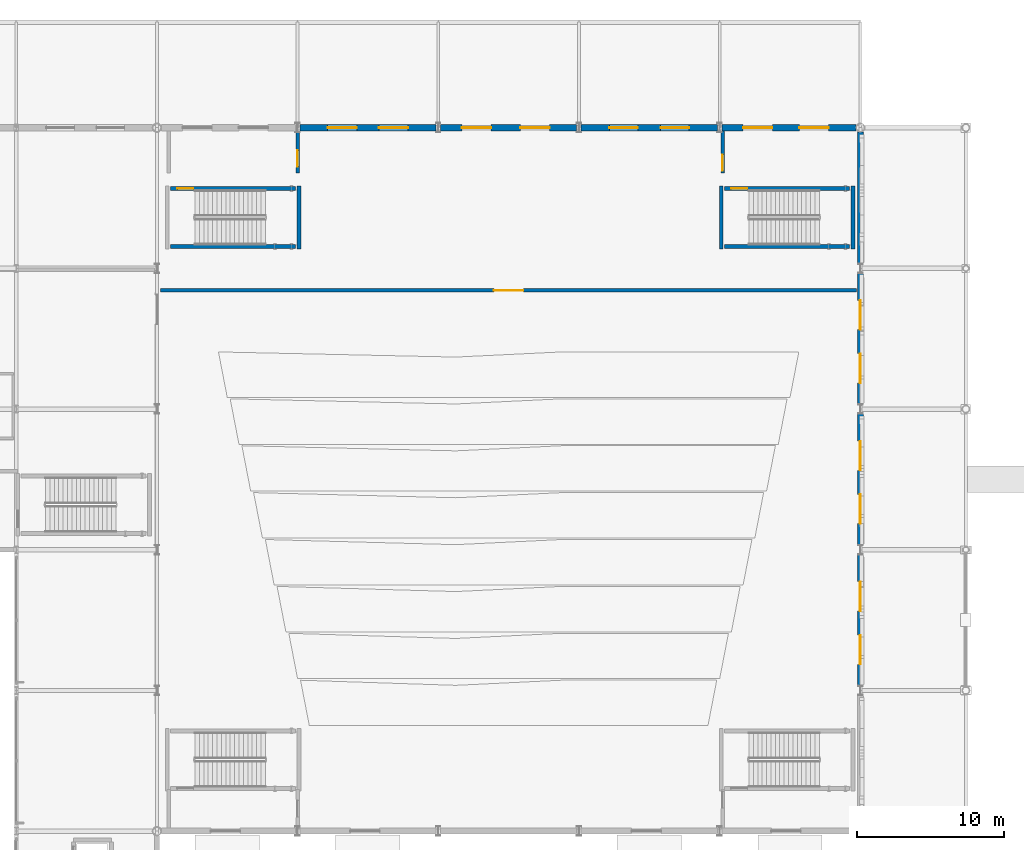
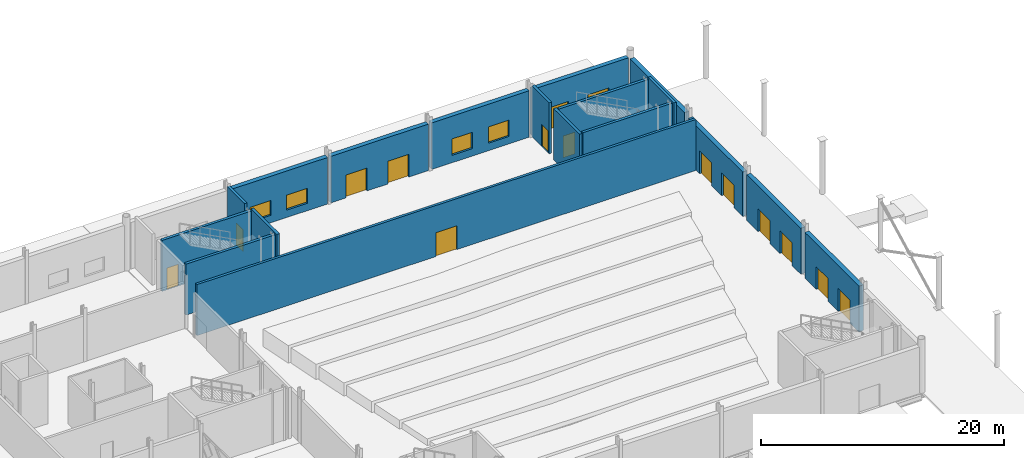
# One storey, part 60 of 84: 18 walls, 15 doors, 4 windows, 19 openings.
"""IFC4 building model written with IfcOpenShell, lengths in metres."""

from ifc_helpers import new_model, si_unit, direction, frame, frame_2d, origin, place, context, subcontext, project, spatial, rectangle, extrude, material, layer, layer_set, type_object, element, fill, save


model = new_model("IFC4")

# Units and contexts
model_context = context("Model", 3, precision=1e-05, world=origin(), true_north=direction((0.0, 1.0)))
body_context = subcontext(model_context, "Body", "Model", "MODEL_VIEW")
ifc_project = project(units=[si_unit("LENGTHUNIT", "METRE"), si_unit("AREAUNIT", "SQUARE_METRE"), si_unit("VOLUMEUNIT", "CUBIC_METRE"), si_unit("PLANEANGLEUNIT", "RADIAN"), si_unit("MASSUNIT", "GRAM", prefix="KILO")], contexts=[model_context])

# Site, building, storey
site_placement = place(None, origin())
site = spatial("IfcSite", under=ifc_project, at=site_placement, CompositionType="ELEMENT")
building_placement = place(site_placement, origin())
building = spatial("IfcBuilding", under=site, at=building_placement, Name="Zevrakil Square Congress Hotel", CompositionType="ELEMENT")
storey_placement = place(building_placement, origin())
storey = spatial("IfcBuildingStorey", under=building, at=storey_placement, Name="L01", CompositionType="ELEMENT", Elevation=0.0)

# Wall, opening, door
ifc_material_1 = material(Name="Concrete C35/45", Category="concrete")
ifc_layer_1 = layer(ifc_material_1, 0.239990234375)
ifc_layer_set_1 = layer_set([ifc_layer_1], Name="Concrete C35/45")
wall_type_1 = type_object("IfcWallType", Name="WAL-COMP-240", PredefinedType="SOLIDWALL", material=ifc_layer_set_1)
wall_1_placement = place(storey_placement, frame((117.85009765625, 101.699951171875, 0.0), z_axis=(0.0, 0.0, 1.0), x_axis=(1.0, 0.0, 0.0)))
wall_1 = element("IfcWall", 1, at=wall_1_placement, inside=storey, type_object=wall_type_1, Name="L01 interior partition PW-L01-0124", PredefinedType="SOLIDWALL", context=body_context, shape_type="SweptSolid", body=[
    extrude(rectangle(XDim=47.5, YDim=0.239990234375, at=frame_2d((23.75, 0.0))), origin(), (0.0, 0.0, 1.0), 5.139892578125),
])
opening_1_placement = place(wall_1_placement, frame((22.75, 0.0, 0.0)))
opening_1 = element("IfcOpeningElement", 2, at=opening_1_placement, cuts=wall_1, Name="Opening ID-05", PredefinedType="OPENING", context=body_context, shape_type="SweptSolid", body=[
    extrude(rectangle(XDim=2.0, YDim=2.39990234375, at=frame_2d((1.0, 1.199951171875))), frame((0.0, 0.1298828125, 0.0), z_axis=(0.0, -1.0, 0.0), x_axis=(1.0, 0.0, 0.0)), (0.0, 0.0, 1.0), 0.260009765625),
])
ifc_material_2 = material(Name="Assembly Hall Double Acoustic Door")
door_type_1 = type_object("IfcDoorType", Name="DOR-HALL-200", OperationType="NOTDEFINED", PredefinedType="DOOR", material=ifc_material_2)
door_1_placement = place(opening_1_placement, origin())
door_1 = element("IfcDoor", 3, at=door_1_placement, inside=storey, type_object=door_type_1, Name="L01 interior door 45", OperationType="DOUBLE_DOOR_SINGLE_SWING", OverallHeight=2.39990234375, OverallWidth=2.0, PredefinedType="DOOR", context=body_context, shape_type="SweptSolid", body=[
    extrude(rectangle(XDim=2.0, YDim=2.39990234375, at=frame_2d((1.0, 1.199951171875))), frame((0.0, 0.02490234375, 0.0), z_axis=(0.0, -1.0, 0.0), x_axis=(1.0, 0.0, 0.0)), (0.0, 0.0, 1.0), 0.050048828125),
])
fill(opening_1, door_1)

wall_2_placement = place(storey_placement, frame((156.199951171875, 109.699951171875, 0.0), z_axis=(0.0, 0.0, 1.0), x_axis=(0.0, 1.0, 0.0)))
wall_2 = element("IfcWall", 4, at=wall_2_placement, inside=storey, type_object=wall_type_1, Name="L01 interior partition PW-L01-0157", PredefinedType="SOLIDWALL", context=body_context, shape_type="SweptSolid", body=[
    extrude(rectangle(XDim=2.880126953125, YDim=0.239990234375, at=frame_2d((1.43994140625, 0.0))), origin(), (0.0, 0.0, 1.0), 5.139892578125),
])
opening_2_placement = place(wall_2_placement, frame((0.159912109375, 0.0, 0.0)))
opening_2 = element("IfcOpeningElement", 5, at=opening_2_placement, cuts=wall_2, Name="Opening FD90-B", PredefinedType="OPENING", context=body_context, shape_type="SweptSolid", body=[
    extrude(rectangle(XDim=1.10009765625, YDim=2.199951171875, at=frame_2d((0.550048828125, 1.10009765625))), frame((0.0, 0.1298828125, 0.0), z_axis=(0.0, -1.0, 0.0), x_axis=(1.0, 0.0, 0.0)), (0.0, 0.0, 1.0), 0.260009765625),
])
ifc_material_3 = material(Name="Steel S355 Fire-Rated Door", Category="steel")
door_type_2 = type_object("IfcDoorType", Name="DOR-STAIR-FD90-110", OperationType="NOTDEFINED", PredefinedType="DOOR", material=ifc_material_3)
door_2_placement = place(opening_2_placement, origin())
door_2 = element("IfcDoor", 6, at=door_2_placement, inside=storey, type_object=door_type_2, Name="L01 interior door 63", OperationType="SINGLE_SWING_LEFT", OverallHeight=2.199951171875, OverallWidth=1.10009765625, PredefinedType="DOOR", context=body_context, shape_type="SweptSolid", body=[
    extrude(rectangle(XDim=1.10009765625, YDim=2.199951171875, at=frame_2d((0.550048828125, 1.10009765625))), frame((0.0, 0.02490234375, 0.0), z_axis=(0.0, -1.0, 0.0), x_axis=(1.0, 0.0, 0.0)), (0.0, 0.0, 1.0), 0.050048828125),
])
fill(opening_2, door_2)

wall_3_placement = place(storey_placement, frame((127.199951171875, 109.699951171875, 0.0), z_axis=(0.0, 0.0, 1.0), x_axis=(0.0, 1.0, 0.0)))
wall_3 = element("IfcWall", 7, at=wall_3_placement, inside=storey, type_object=wall_type_1, Name="L01 interior partition PW-L01-0159", PredefinedType="SOLIDWALL", context=body_context, shape_type="SweptSolid", body=[
    extrude(rectangle(XDim=2.880126953125, YDim=0.239990234375, at=frame_2d((1.43994140625, 0.0))), origin(), (0.0, 0.0, 1.0), 5.139892578125),
])
opening_3_placement = place(wall_3_placement, frame((0.449951171875, 0.0, 0.0)))
opening_3 = element("IfcOpeningElement", 8, at=opening_3_placement, cuts=wall_3, Name="Opening FD90-B", PredefinedType="OPENING", context=body_context, shape_type="SweptSolid", body=[
    extrude(rectangle(XDim=1.10009765625, YDim=2.199951171875, at=frame_2d((0.550048828125, 1.10009765625))), frame((0.0, 0.1298828125, 0.0), z_axis=(0.0, -1.0, 0.0), x_axis=(1.0, 0.0, 0.0)), (0.0, 0.0, 1.0), 0.260009765625),
])
door_3_placement = place(opening_3_placement, origin())
door_3 = element("IfcDoor", 9, at=door_3_placement, inside=storey, type_object=door_type_2, Name="L01 interior door 64", OperationType="SINGLE_SWING_RIGHT", OverallHeight=2.199951171875, OverallWidth=1.10009765625, PredefinedType="DOOR", context=body_context, shape_type="SweptSolid", body=[
    extrude(rectangle(XDim=1.10009765625, YDim=2.199951171875, at=frame_2d((0.550048828125, 1.10009765625))), frame((0.0, 0.02490234375, 0.0), z_axis=(0.0, -1.0, 0.0), x_axis=(1.0, 0.0, 0.0)), (0.0, 0.0, 1.0), 0.050048828125),
])
fill(opening_3, door_3)

# Wall, openings, windows
ifc_material_4 = material(Name="Precast concrete C40/50", Category="concrete")
ifc_layer_2 = layer(ifc_material_4, 0.419921875)
ifc_layer_set_2 = layer_set([ifc_layer_2], Name="Precast concrete C40/50")
wall_type_2 = type_object("IfcWallType", Name="WAL-EXT-HALL-420", PredefinedType="SOLIDWALL", material=ifc_layer_set_2)
wall_4_placement = place(storey_placement, frame((127.35400390625, 112.800048828125, 0.0), z_axis=(0.0, 0.0, 1.0), x_axis=(1.0, 0.0, 0.0)))
wall_4 = element("IfcWall", 10, at=wall_4_placement, inside=storey, type_object=wall_type_2, Name="L01 exterior GRC wall EW-L01-0063", PredefinedType="SOLIDWALL", context=body_context, shape_type="SweptSolid", body=[
    extrude(rectangle(XDim=9.2919921875, YDim=0.419921875, at=frame_2d((4.64599609375, 0.0))), origin(), (0.0, 0.0, 1.0), 4.68505859375),
])
opening_4_placement = place(wall_4_placement, frame((1.89794921875, 0.0, 0.75)))
opening_4 = element("IfcOpeningElement", 11, at=opening_4_placement, cuts=wall_4, Name="Opening WN-11", PredefinedType="OPENING", context=body_context, shape_type="SweptSolid", body=[
    extrude(rectangle(XDim=2.0, YDim=1.5, at=frame_2d((1.0, 0.75))), frame((0.0, 0.219970703125, 0.0), z_axis=(0.0, -1.0, 0.0), x_axis=(1.0, 0.0, 0.0)), (0.0, 0.0, 1.0), 0.43994140625),
])
opening_5_placement = place(wall_4_placement, frame((5.39404296875, 0.0, 0.75)))
opening_5 = element("IfcOpeningElement", 12, at=opening_5_placement, cuts=wall_4, Name="Opening WN-11", PredefinedType="OPENING", context=body_context, shape_type="SweptSolid", body=[
    extrude(rectangle(XDim=2.0, YDim=1.5, at=frame_2d((1.0, 0.75))), frame((0.0, 0.219970703125, 0.0), z_axis=(0.0, -1.0, 0.0), x_axis=(1.0, 0.0, 0.0)), (0.0, 0.0, 1.0), 0.43994140625),
])
ifc_material_5 = material(Name="Low-E Solar Control Double Glazing", Category="glass")
window_type_1 = type_object("IfcWindowType", Name="WIN-EXT-11", PartitioningType="SINGLE_PANEL", PredefinedType="WINDOW", material=ifc_material_5)
window_1_placement = place(opening_4_placement, origin())
window_1 = element("IfcWindow", 13, at=window_1_placement, inside=storey, type_object=window_type_1, Name="L01 low-E solar window 55", OverallHeight=1.5, OverallWidth=2.0, PartitioningType="SINGLE_PANEL", PredefinedType="WINDOW", context=body_context, shape_type="SweptSolid", body=[
    extrude(rectangle(XDim=2.0, YDim=1.5, at=frame_2d((1.0, 0.75))), frame((0.0, 0.030029296875, 0.0), z_axis=(0.0, -1.0, 0.0), x_axis=(1.0, 0.0, 0.0)), (0.0, 0.0, 1.0), 0.06005859375),
])
fill(opening_4, window_1)
window_2_placement = place(opening_5_placement, origin())
window_2 = element("IfcWindow", 14, at=window_2_placement, inside=storey, type_object=window_type_1, Name="L01 low-E solar window 56", OverallHeight=1.5, OverallWidth=2.0, PartitioningType="SINGLE_PANEL", PredefinedType="WINDOW", context=body_context, shape_type="SweptSolid", body=[
    extrude(rectangle(XDim=2.0, YDim=1.5, at=frame_2d((1.0, 0.75))), frame((0.0, 0.030029296875, 0.0), z_axis=(0.0, -1.0, 0.0), x_axis=(1.0, 0.0, 0.0)), (0.0, 0.0, 1.0), 0.06005859375),
])
fill(opening_5, window_2)

# Wall, openings, doors
wall_5_placement = place(storey_placement, frame((136.9541015625, 112.800048828125, 0.0), z_axis=(0.0, 0.0, 1.0), x_axis=(1.0, 0.0, 0.0)))
wall_5 = element("IfcWall", 15, at=wall_5_placement, inside=storey, type_object=wall_type_2, Name="L01 exterior GRC wall EW-L01-0065", PredefinedType="SOLIDWALL", context=body_context, shape_type="SweptSolid", body=[
    extrude(rectangle(XDim=9.2919921875, YDim=0.419921875, at=frame_2d((4.64599609375, 0.0))), origin(), (0.0, 0.0, 1.0), 4.68505859375),
])
opening_6_placement = place(wall_5_placement, frame((1.449951171875, 0.0, 0.0)))
opening_6 = element("IfcOpeningElement", 16, at=opening_6_placement, cuts=wall_5, Name="Opening E33", PredefinedType="OPENING", context=body_context, shape_type="SweptSolid", body=[
    extrude(rectangle(XDim=2.0, YDim=2.300048828125, at=frame_2d((1.0, 1.14990234375))), frame((0.0, 0.219970703125, 0.0), z_axis=(0.0, -1.0, 0.0), x_axis=(1.0, 0.0, 0.0)), (0.0, 0.0, 1.0), 0.43994140625),
])
opening_7_placement = place(wall_5_placement, frame((5.44189453125, 0.0, 0.0)))
opening_7 = element("IfcOpeningElement", 17, at=opening_7_placement, cuts=wall_5, Name="Opening E34", PredefinedType="OPENING", context=body_context, shape_type="SweptSolid", body=[
    extrude(rectangle(XDim=2.0, YDim=2.300048828125, at=frame_2d((1.0, 1.14990234375))), frame((0.0, 0.219970703125, 0.0), z_axis=(0.0, -1.0, 0.0), x_axis=(1.0, 0.0, 0.0)), (0.0, 0.0, 1.0), 0.43994140625),
])
ifc_material_6 = material(Name="Aluminium Thermal-Break Glazed Door", Category="aluminium")
door_type_3 = type_object("IfcDoorType", Name="DOR-EXIT-200", OperationType="NOTDEFINED", PredefinedType="DOOR", material=ifc_material_6)
door_4_placement = place(opening_6_placement, origin())
door_4 = element("IfcDoor", 18, at=door_4_placement, inside=storey, type_object=door_type_3, Name="L01 pedestrian final exit door E33", OperationType="DOUBLE_DOOR_SINGLE_SWING", OverallHeight=2.300048828125, OverallWidth=2.0, PredefinedType="DOOR", context=body_context, shape_type="SweptSolid", body=[
    extrude(rectangle(XDim=2.0, YDim=2.300048828125, at=frame_2d((1.0, 1.14990234375))), frame((0.0, 0.02490234375, 0.0), z_axis=(0.0, -1.0, 0.0), x_axis=(1.0, 0.0, 0.0)), (0.0, 0.0, 1.0), 0.050048828125),
])
fill(opening_6, door_4)
door_5_placement = place(opening_7_placement, origin())
door_5 = element("IfcDoor", 19, at=door_5_placement, inside=storey, type_object=door_type_3, Name="L01 pedestrian final exit door E34", OperationType="DOUBLE_DOOR_SINGLE_SWING", OverallHeight=2.300048828125, OverallWidth=2.0, PredefinedType="DOOR", context=body_context, shape_type="SweptSolid", body=[
    extrude(rectangle(XDim=2.0, YDim=2.300048828125, at=frame_2d((1.0, 1.14990234375))), frame((0.0, 0.02490234375, 0.0), z_axis=(0.0, -1.0, 0.0), x_axis=(1.0, 0.0, 0.0)), (0.0, 0.0, 1.0), 0.050048828125),
])
fill(opening_7, door_5)

# Wall, openings, windows
wall_6_placement = place(storey_placement, frame((146.553955078125, 112.800048828125, 0.0), z_axis=(0.0, 0.0, 1.0), x_axis=(1.0, 0.0, 0.0)))
wall_6 = element("IfcWall", 20, at=wall_6_placement, inside=storey, type_object=wall_type_2, Name="L01 exterior GRC wall EW-L01-0067", PredefinedType="SOLIDWALL", context=body_context, shape_type="SweptSolid", body=[
    extrude(rectangle(XDim=9.2919921875, YDim=0.419921875, at=frame_2d((4.64599609375, 0.0))), origin(), (0.0, 0.0, 1.0), 4.68505859375),
])
opening_8_placement = place(wall_6_placement, frame((1.923095703125, 0.0, 0.75)))
opening_8 = element("IfcOpeningElement", 21, at=opening_8_placement, cuts=wall_6, Name="Opening WN-17", PredefinedType="OPENING", context=body_context, shape_type="SweptSolid", body=[
    extrude(rectangle(XDim=1.949951171875, YDim=1.64990234375, at=frame_2d((0.97509765625, 0.824951171875))), frame((0.0, 0.219970703125, 0.0), z_axis=(0.0, -1.0, 0.0), x_axis=(1.0, 0.0, 0.0)), (0.0, 0.0, 1.0), 0.43994140625),
])
opening_9_placement = place(wall_6_placement, frame((5.4189453125, 0.0, 0.75)))
opening_9 = element("IfcOpeningElement", 22, at=opening_9_placement, cuts=wall_6, Name="Opening WN-17", PredefinedType="OPENING", context=body_context, shape_type="SweptSolid", body=[
    extrude(rectangle(XDim=1.949951171875, YDim=1.64990234375, at=frame_2d((0.97509765625, 0.824951171875))), frame((0.0, 0.219970703125, 0.0), z_axis=(0.0, -1.0, 0.0), x_axis=(1.0, 0.0, 0.0)), (0.0, 0.0, 1.0), 0.43994140625),
])
ifc_material_7 = material(Name="Low-E Solar Control Double Glazing", Category="glass")
window_type_2 = type_object("IfcWindowType", Name="WIN-EXT-17", PartitioningType="SINGLE_PANEL", PredefinedType="WINDOW", material=ifc_material_7)
window_3_placement = place(opening_8_placement, origin())
window_3 = element("IfcWindow", 23, at=window_3_placement, inside=storey, type_object=window_type_2, Name="L01 low-E solar window 61", OverallHeight=1.64990234375, OverallWidth=1.949951171875, PartitioningType="SINGLE_PANEL", PredefinedType="WINDOW", context=body_context, shape_type="SweptSolid", body=[
    extrude(rectangle(XDim=1.949951171875, YDim=1.64990234375, at=frame_2d((0.97509765625, 0.824951171875))), frame((0.0, 0.030029296875, 0.0), z_axis=(0.0, -1.0, 0.0), x_axis=(1.0, 0.0, 0.0)), (0.0, 0.0, 1.0), 0.06005859375),
])
fill(opening_8, window_3)
window_4_placement = place(opening_9_placement, origin())
window_4 = element("IfcWindow", 24, at=window_4_placement, inside=storey, type_object=window_type_2, Name="L01 low-E solar window 62", OverallHeight=1.64990234375, OverallWidth=1.949951171875, PartitioningType="SINGLE_PANEL", PredefinedType="WINDOW", context=body_context, shape_type="SweptSolid", body=[
    extrude(rectangle(XDim=1.949951171875, YDim=1.64990234375, at=frame_2d((0.97509765625, 0.824951171875))), frame((0.0, 0.030029296875, 0.0), z_axis=(0.0, -1.0, 0.0), x_axis=(1.0, 0.0, 0.0)), (0.0, 0.0, 1.0), 0.06005859375),
])
fill(opening_9, window_4)

# Wall, openings, doors
wall_7_placement = place(storey_placement, frame((156.154052734375, 112.800048828125, 0.0), z_axis=(0.0, 0.0, 1.0), x_axis=(1.0, 0.0, 0.0)))
wall_7 = element("IfcWall", 25, at=wall_7_placement, inside=storey, type_object=wall_type_2, Name="L01 exterior GRC wall EW-L01-0069", PredefinedType="SOLIDWALL", context=body_context, shape_type="SweptSolid", body=[
    extrude(rectangle(XDim=9.136962890625, YDim=0.419921875, at=frame_2d((4.568359375, 0.0))), origin(), (0.0, 0.0, 1.0), 4.68505859375),
])
opening_10_placement = place(wall_7_placement, frame((1.449951171875, 0.0, 0.0)))
opening_10 = element("IfcOpeningElement", 26, at=opening_10_placement, cuts=wall_7, Name="Opening E35", PredefinedType="OPENING", context=body_context, shape_type="SweptSolid", body=[
    extrude(rectangle(XDim=2.0, YDim=2.300048828125, at=frame_2d((1.0, 1.14990234375))), frame((0.0, 0.219970703125, 0.0), z_axis=(0.0, -1.0, 0.0), x_axis=(1.0, 0.0, 0.0)), (0.0, 0.0, 1.0), 0.43994140625),
])
opening_11_placement = place(wall_7_placement, frame((5.287109375, 0.0, 0.0)))
opening_11 = element("IfcOpeningElement", 27, at=opening_11_placement, cuts=wall_7, Name="Opening E36", PredefinedType="OPENING", context=body_context, shape_type="SweptSolid", body=[
    extrude(rectangle(XDim=2.0, YDim=2.300048828125, at=frame_2d((1.0, 1.14990234375))), frame((0.0, 0.219970703125, 0.0), z_axis=(0.0, -1.0, 0.0), x_axis=(1.0, 0.0, 0.0)), (0.0, 0.0, 1.0), 0.43994140625),
])
door_6_placement = place(opening_10_placement, origin())
door_6 = element("IfcDoor", 28, at=door_6_placement, inside=storey, type_object=door_type_3, Name="L01 pedestrian final exit door E35", OperationType="DOUBLE_DOOR_SINGLE_SWING", OverallHeight=2.300048828125, OverallWidth=2.0, PredefinedType="DOOR", context=body_context, shape_type="SweptSolid", body=[
    extrude(rectangle(XDim=2.0, YDim=2.300048828125, at=frame_2d((1.0, 1.14990234375))), frame((0.0, 0.02490234375, 0.0), z_axis=(0.0, -1.0, 0.0), x_axis=(1.0, 0.0, 0.0)), (0.0, 0.0, 1.0), 0.050048828125),
])
fill(opening_10, door_6)
door_7_placement = place(opening_11_placement, origin())
door_7 = element("IfcDoor", 29, at=door_7_placement, inside=storey, type_object=door_type_3, Name="L01 pedestrian final exit door E36", OperationType="DOUBLE_DOOR_SINGLE_SWING", OverallHeight=2.300048828125, OverallWidth=2.0, PredefinedType="DOOR", context=body_context, shape_type="SweptSolid", body=[
    extrude(rectangle(XDim=2.0, YDim=2.300048828125, at=frame_2d((1.0, 1.14990234375))), frame((0.0, 0.02490234375, 0.0), z_axis=(0.0, -1.0, 0.0), x_axis=(1.0, 0.0, 0.0)), (0.0, 0.0, 1.0), 0.050048828125),
])
fill(opening_11, door_7)

wall_8_placement = place(storey_placement, frame((165.60009765625, 74.72900390625, 0.0), z_axis=(0.0, 0.0, 1.0), x_axis=(0.0, 1.0, 0.0)))
wall_8 = element("IfcWall", 30, at=wall_8_placement, inside=storey, type_object=wall_type_2, Name="L01 exterior GRC wall EW-L01-0072", PredefinedType="SOLIDWALL", context=body_context, shape_type="SweptSolid", body=[
    extrude(rectangle(XDim=8.94189453125, YDim=0.419921875, at=frame_2d((4.470947265625, 0.0))), origin(), (0.0, 0.0, 1.0), 4.625),
])
opening_12_placement = place(wall_8_placement, frame((1.449951171875, 0.0, 0.0)))
opening_12 = element("IfcOpeningElement", 31, at=opening_12_placement, cuts=wall_8, Name="Opening E37", PredefinedType="OPENING", context=body_context, shape_type="SweptSolid", body=[
    extrude(rectangle(XDim=2.0, YDim=2.300048828125, at=frame_2d((1.0, 1.14990234375))), frame((0.0, 0.219970703125, 0.0), z_axis=(0.0, -1.0, 0.0), x_axis=(1.0, 0.0, 0.0)), (0.0, 0.0, 1.0), 0.43994140625),
])
opening_13_placement = place(wall_8_placement, frame((5.092041015625, 0.0, 0.0)))
opening_13 = element("IfcOpeningElement", 32, at=opening_13_placement, cuts=wall_8, Name="Opening E38", PredefinedType="OPENING", context=body_context, shape_type="SweptSolid", body=[
    extrude(rectangle(XDim=2.0, YDim=2.300048828125, at=frame_2d((1.0, 1.14990234375))), frame((0.0, 0.219970703125, 0.0), z_axis=(0.0, -1.0, 0.0), x_axis=(1.0, 0.0, 0.0)), (0.0, 0.0, 1.0), 0.43994140625),
])
door_8_placement = place(opening_12_placement, frame((2.0, 0.0, 0.0), z_axis=(0.0, 0.0, 1.0), x_axis=(-1.0, 0.0, 0.0)))
door_8 = element("IfcDoor", 33, at=door_8_placement, inside=storey, type_object=door_type_3, Name="L01 pedestrian final exit door E37", OperationType="DOUBLE_DOOR_SINGLE_SWING", OverallHeight=2.300048828125, OverallWidth=2.0, PredefinedType="DOOR", context=body_context, shape_type="SweptSolid", body=[
    extrude(rectangle(XDim=2.0, YDim=2.300048828125, at=frame_2d((1.0, 1.14990234375))), frame((0.0, 0.02490234375, 0.0), z_axis=(0.0, -1.0, 0.0), x_axis=(1.0, 0.0, 0.0)), (0.0, 0.0, 1.0), 0.050048828125),
])
fill(opening_12, door_8)
door_9_placement = place(opening_13_placement, frame((2.0, 0.0, 0.0), z_axis=(0.0, 0.0, 1.0), x_axis=(-1.0, 0.0, 0.0)))
door_9 = element("IfcDoor", 34, at=door_9_placement, inside=storey, type_object=door_type_3, Name="L01 pedestrian final exit door E38", OperationType="DOUBLE_DOOR_SINGLE_SWING", OverallHeight=2.300048828125, OverallWidth=2.0, PredefinedType="DOOR", context=body_context, shape_type="SweptSolid", body=[
    extrude(rectangle(XDim=2.0, YDim=2.300048828125, at=frame_2d((1.0, 1.14990234375))), frame((0.0, 0.02490234375, 0.0), z_axis=(0.0, -1.0, 0.0), x_axis=(1.0, 0.0, 0.0)), (0.0, 0.0, 1.0), 0.050048828125),
])
fill(opening_13, door_9)

wall_9_placement = place(storey_placement, frame((165.60009765625, 84.3291015625, 0.0), z_axis=(0.0, 0.0, 1.0), x_axis=(0.0, 1.0, 0.0)))
wall_9 = element("IfcWall", 35, at=wall_9_placement, inside=storey, type_object=wall_type_2, Name="L01 exterior GRC wall EW-L01-0074", PredefinedType="SOLIDWALL", context=body_context, shape_type="SweptSolid", body=[
    extrude(rectangle(XDim=8.94189453125, YDim=0.419921875, at=frame_2d((4.470947265625, 0.0))), origin(), (0.0, 0.0, 1.0), 4.625),
])
opening_14_placement = place(wall_9_placement, frame((1.449951171875, 0.0, 0.0)))
opening_14 = element("IfcOpeningElement", 36, at=opening_14_placement, cuts=wall_9, Name="Opening E39", PredefinedType="OPENING", context=body_context, shape_type="SweptSolid", body=[
    extrude(rectangle(XDim=2.0, YDim=2.300048828125, at=frame_2d((1.0, 1.14990234375))), frame((0.0, 0.219970703125, 0.0), z_axis=(0.0, -1.0, 0.0), x_axis=(1.0, 0.0, 0.0)), (0.0, 0.0, 1.0), 0.43994140625),
])
opening_15_placement = place(wall_9_placement, frame((5.092041015625, 0.0, 0.0)))
opening_15 = element("IfcOpeningElement", 37, at=opening_15_placement, cuts=wall_9, Name="Opening E40", PredefinedType="OPENING", context=body_context, shape_type="SweptSolid", body=[
    extrude(rectangle(XDim=2.0, YDim=2.300048828125, at=frame_2d((1.0, 1.14990234375))), frame((0.0, 0.219970703125, 0.0), z_axis=(0.0, -1.0, 0.0), x_axis=(1.0, 0.0, 0.0)), (0.0, 0.0, 1.0), 0.43994140625),
])
door_10_placement = place(opening_14_placement, frame((2.0, 0.0, 0.0), z_axis=(0.0, 0.0, 1.0), x_axis=(-1.0, 0.0, 0.0)))
door_10 = element("IfcDoor", 38, at=door_10_placement, inside=storey, type_object=door_type_3, Name="L01 pedestrian final exit door E39", OperationType="DOUBLE_DOOR_SINGLE_SWING", OverallHeight=2.300048828125, OverallWidth=2.0, PredefinedType="DOOR", context=body_context, shape_type="SweptSolid", body=[
    extrude(rectangle(XDim=2.0, YDim=2.300048828125, at=frame_2d((1.0, 1.14990234375))), frame((0.0, 0.02490234375, 0.0), z_axis=(0.0, -1.0, 0.0), x_axis=(1.0, 0.0, 0.0)), (0.0, 0.0, 1.0), 0.050048828125),
])
fill(opening_14, door_10)
door_11_placement = place(opening_15_placement, frame((2.0, 0.0, 0.0), z_axis=(0.0, 0.0, 1.0), x_axis=(-1.0, 0.0, 0.0)))
door_11 = element("IfcDoor", 39, at=door_11_placement, inside=storey, type_object=door_type_3, Name="L01 pedestrian final exit door E40", OperationType="DOUBLE_DOOR_SINGLE_SWING", OverallHeight=2.300048828125, OverallWidth=2.0, PredefinedType="DOOR", context=body_context, shape_type="SweptSolid", body=[
    extrude(rectangle(XDim=2.0, YDim=2.300048828125, at=frame_2d((1.0, 1.14990234375))), frame((0.0, 0.02490234375, 0.0), z_axis=(0.0, -1.0, 0.0), x_axis=(1.0, 0.0, 0.0)), (0.0, 0.0, 1.0), 0.050048828125),
])
fill(opening_15, door_11)

wall_10_placement = place(storey_placement, frame((165.60009765625, 93.928955078125, 0.0), z_axis=(0.0, 0.0, 1.0), x_axis=(0.0, 1.0, 0.0)))
wall_10 = element("IfcWall", 40, at=wall_10_placement, inside=storey, type_object=wall_type_2, Name="L01 exterior GRC wall EW-L01-0075", PredefinedType="SOLIDWALL", context=body_context, shape_type="SweptSolid", body=[
    extrude(rectangle(XDim=8.942138671875, YDim=0.419921875, at=frame_2d((4.47119140625, 0.0))), origin(), (0.0, 0.0, 1.0), 4.47509765625),
])
opening_16_placement = place(wall_10_placement, frame((1.449951171875, 0.0, 0.0)))
opening_16 = element("IfcOpeningElement", 41, at=opening_16_placement, cuts=wall_10, Name="Opening E41", PredefinedType="OPENING", context=body_context, shape_type="SweptSolid", body=[
    extrude(rectangle(XDim=2.0, YDim=2.300048828125, at=frame_2d((1.0, 1.14990234375))), frame((0.0, 0.219970703125, 0.0), z_axis=(0.0, -1.0, 0.0), x_axis=(1.0, 0.0, 0.0)), (0.0, 0.0, 1.0), 0.43994140625),
])
opening_17_placement = place(wall_10_placement, frame((5.092041015625, 0.0, 0.0)))
opening_17 = element("IfcOpeningElement", 42, at=opening_17_placement, cuts=wall_10, Name="Opening E42", PredefinedType="OPENING", context=body_context, shape_type="SweptSolid", body=[
    extrude(rectangle(XDim=2.0, YDim=2.300048828125, at=frame_2d((1.0, 1.14990234375))), frame((0.0, 0.219970703125, 0.0), z_axis=(0.0, -1.0, 0.0), x_axis=(1.0, 0.0, 0.0)), (0.0, 0.0, 1.0), 0.43994140625),
])
door_12_placement = place(opening_16_placement, frame((2.0, 0.0, 0.0), z_axis=(0.0, 0.0, 1.0), x_axis=(-1.0, 0.0, 0.0)))
door_12 = element("IfcDoor", 43, at=door_12_placement, inside=storey, type_object=door_type_3, Name="L01 pedestrian final exit door E41", OperationType="DOUBLE_DOOR_SINGLE_SWING", OverallHeight=2.300048828125, OverallWidth=2.0, PredefinedType="DOOR", context=body_context, shape_type="SweptSolid", body=[
    extrude(rectangle(XDim=2.0, YDim=2.300048828125, at=frame_2d((1.0, 1.14990234375))), frame((0.0, 0.02490234375, 0.0), z_axis=(0.0, -1.0, 0.0), x_axis=(1.0, 0.0, 0.0)), (0.0, 0.0, 1.0), 0.050048828125),
])
fill(opening_16, door_12)
door_13_placement = place(opening_17_placement, frame((2.0, 0.0, 0.0), z_axis=(0.0, 0.0, 1.0), x_axis=(-1.0, 0.0, 0.0)))
door_13 = element("IfcDoor", 44, at=door_13_placement, inside=storey, type_object=door_type_3, Name="L01 pedestrian final exit door E42", OperationType="DOUBLE_DOOR_SINGLE_SWING", OverallHeight=2.300048828125, OverallWidth=2.0, PredefinedType="DOOR", context=body_context, shape_type="SweptSolid", body=[
    extrude(rectangle(XDim=2.0, YDim=2.300048828125, at=frame_2d((1.0, 1.14990234375))), frame((0.0, 0.02490234375, 0.0), z_axis=(0.0, -1.0, 0.0), x_axis=(1.0, 0.0, 0.0)), (0.0, 0.0, 1.0), 0.050048828125),
])
fill(opening_17, door_13)

# Walls
wall_11_placement = place(storey_placement, frame((165.60009765625, 103.529052734375, 0.0), z_axis=(0.0, 0.0, 1.0), x_axis=(0.0, 1.0, 0.0)))
element("IfcWall", 45, at=wall_11_placement, inside=storey, type_object=wall_type_2, Name="L01 exterior GRC wall EW-L01-0077", PredefinedType="SOLIDWALL", context=body_context, shape_type="SweptSolid", body=[
    extrude(rectangle(XDim=8.9619140625, YDim=0.419921875, at=frame_2d((4.48095703125, 0.0))), origin(), (0.0, 0.0, 1.0), 4.625),
])
ifc_material_8 = material(Name="Concrete C40/50", Category="concrete")
ifc_layer_3 = layer(ifc_material_8, 0.260009765625)
ifc_layer_set_3 = layer_set([ifc_layer_3], Name="Concrete C40/50")
wall_type_3 = type_object("IfcWallType", Name="WAL-SHAFT-260", PredefinedType="SHEAR", material=ifc_layer_set_3)
for number, where, z_axis, x_axis, name in (
    (46, (156.10498046875, 104.5400390625, 0.0), (0.0, 0.0, 1.0), (0.0, 1.0, 0.0), "L01 ST10 stair shaft W wall"),
    (47, (165.094970703125, 104.5400390625, 0.0), (0.0, 0.0, 1.0), (0.0, 1.0, 0.0), "L01 ST10 stair shaft E wall"),
):
    element("IfcWall", number, at=place(storey_placement, frame(where, z_axis=z_axis, x_axis=x_axis)), inside=storey, type_object=wall_type_3, Name=name, PredefinedType="SHEAR", context=body_context, shape_type="SweptSolid", body=[
        extrude(rectangle(XDim=4.27001953125, YDim=0.260009765625, at=frame_2d((2.135009765625, 0.0))), origin(), (0.0, 0.0, 1.0), 5.139892578125),
    ])
wall_12_placement = place(storey_placement, frame((156.340087890625, 104.705078125, 0.0), z_axis=(0.0, 0.0, 1.0), x_axis=(1.0, 0.0, 0.0)))
element("IfcWall", 48, at=wall_12_placement, inside=storey, type_object=wall_type_3, Name="L01 ST10 stair shaft S wall", PredefinedType="SHEAR", context=body_context, shape_type="SweptSolid", body=[
    extrude(rectangle(XDim=8.52001953125, YDim=0.260009765625, at=frame_2d((4.260009765625, 0.0))), origin(), (0.0, 0.0, 1.0), 5.139892578125),
])

# Wall, opening, door
wall_13_placement = place(storey_placement, frame((156.340087890625, 108.64501953125, 0.0), z_axis=(0.0, 0.0, 1.0), x_axis=(1.0, 0.0, 0.0)))
wall_13 = element("IfcWall", 49, at=wall_13_placement, inside=storey, type_object=wall_type_3, Name="L01 ST10 stair shaft N wall", PredefinedType="SHEAR", context=body_context, shape_type="SweptSolid", body=[
    extrude(rectangle(XDim=8.52001953125, YDim=0.260009765625, at=frame_2d((4.260009765625, 0.0))), origin(), (0.0, 0.0, 1.0), 5.139892578125),
])
opening_18_placement = place(wall_13_placement, frame((0.449951171875, 0.0, 0.0)))
opening_18 = element("IfcOpeningElement", 50, at=opening_18_placement, cuts=wall_13, Name="Opening SD-ST10", PredefinedType="OPENING", context=body_context, shape_type="SweptSolid", body=[
    extrude(rectangle(XDim=1.10009765625, YDim=2.199951171875, at=frame_2d((0.550048828125, 1.10009765625))), frame((0.0, 0.14013671875, 0.0), z_axis=(0.0, -1.0, 0.0), x_axis=(1.0, 0.0, 0.0)), (0.0, 0.0, 1.0), 0.280029296875),
])
door_14_placement = place(opening_18_placement, origin())
door_14 = element("IfcDoor", 51, at=door_14_placement, inside=storey, type_object=door_type_2, Name="L01 ST10 protected stair fire door", OperationType="SINGLE_SWING_RIGHT", OverallHeight=2.199951171875, OverallWidth=1.10009765625, PredefinedType="DOOR", context=body_context, shape_type="SweptSolid", body=[
    extrude(rectangle(XDim=1.10009765625, YDim=2.199951171875, at=frame_2d((0.550048828125, 1.10009765625))), frame((0.0, 0.02490234375, 0.0), z_axis=(0.0, -1.0, 0.0), x_axis=(1.0, 0.0, 0.0)), (0.0, 0.0, 1.0), 0.050048828125),
])
fill(opening_18, door_14)

# Walls
wall_14_placement = place(storey_placement, frame((127.294921875, 104.5400390625, 0.0), z_axis=(0.0, 0.0, 1.0), x_axis=(0.0, 1.0, 0.0)))
element("IfcWall", 52, at=wall_14_placement, inside=storey, type_object=wall_type_3, Name="L01 ST11 stair shaft E wall", PredefinedType="SHEAR", context=body_context, shape_type="SweptSolid", body=[
    extrude(rectangle(XDim=4.27001953125, YDim=0.260009765625, at=frame_2d((2.135009765625, 0.0))), origin(), (0.0, 0.0, 1.0), 5.139892578125),
])
wall_15_placement = place(storey_placement, frame((118.5400390625, 104.705078125, 0.0), z_axis=(0.0, 0.0, 1.0), x_axis=(1.0, 0.0, 0.0)))
element("IfcWall", 53, at=wall_15_placement, inside=storey, type_object=wall_type_3, Name="L01 ST11 stair shaft S wall", PredefinedType="SHEAR", context=body_context, shape_type="SweptSolid", body=[
    extrude(rectangle(XDim=8.52001953125, YDim=0.260009765625, at=frame_2d((4.260009765625, 0.0))), origin(), (0.0, 0.0, 1.0), 5.139892578125),
])

# Wall, opening, door
wall_16_placement = place(storey_placement, frame((118.5400390625, 108.64501953125, 0.0), z_axis=(0.0, 0.0, 1.0), x_axis=(1.0, 0.0, 0.0)))
wall_16 = element("IfcWall", 54, at=wall_16_placement, inside=storey, type_object=wall_type_3, Name="L01 ST11 stair shaft N wall", PredefinedType="SHEAR", context=body_context, shape_type="SweptSolid", body=[
    extrude(rectangle(XDim=8.52001953125, YDim=0.260009765625, at=frame_2d((4.260009765625, 0.0))), origin(), (0.0, 0.0, 1.0), 5.139892578125),
])
opening_19_placement = place(wall_16_placement, frame((0.449951171875, 0.0, 0.0)))
opening_19 = element("IfcOpeningElement", 55, at=opening_19_placement, cuts=wall_16, Name="Opening SD-ST11", PredefinedType="OPENING", context=body_context, shape_type="SweptSolid", body=[
    extrude(rectangle(XDim=1.10009765625, YDim=2.199951171875, at=frame_2d((0.550048828125, 1.10009765625))), frame((0.0, 0.14013671875, 0.0), z_axis=(0.0, -1.0, 0.0), x_axis=(1.0, 0.0, 0.0)), (0.0, 0.0, 1.0), 0.280029296875),
])
door_15_placement = place(opening_19_placement, origin())
door_15 = element("IfcDoor", 56, at=door_15_placement, inside=storey, type_object=door_type_2, Name="L01 ST11 protected stair fire door", OperationType="SINGLE_SWING_RIGHT", OverallHeight=2.199951171875, OverallWidth=1.10009765625, PredefinedType="DOOR", context=body_context, shape_type="SweptSolid", body=[
    extrude(rectangle(XDim=1.10009765625, YDim=2.199951171875, at=frame_2d((0.550048828125, 1.10009765625))), frame((0.0, 0.02490234375, 0.0), z_axis=(0.0, -1.0, 0.0), x_axis=(1.0, 0.0, 0.0)), (0.0, 0.0, 1.0), 0.050048828125),
])
fill(opening_19, door_15)

save(model, "model.ifc")
